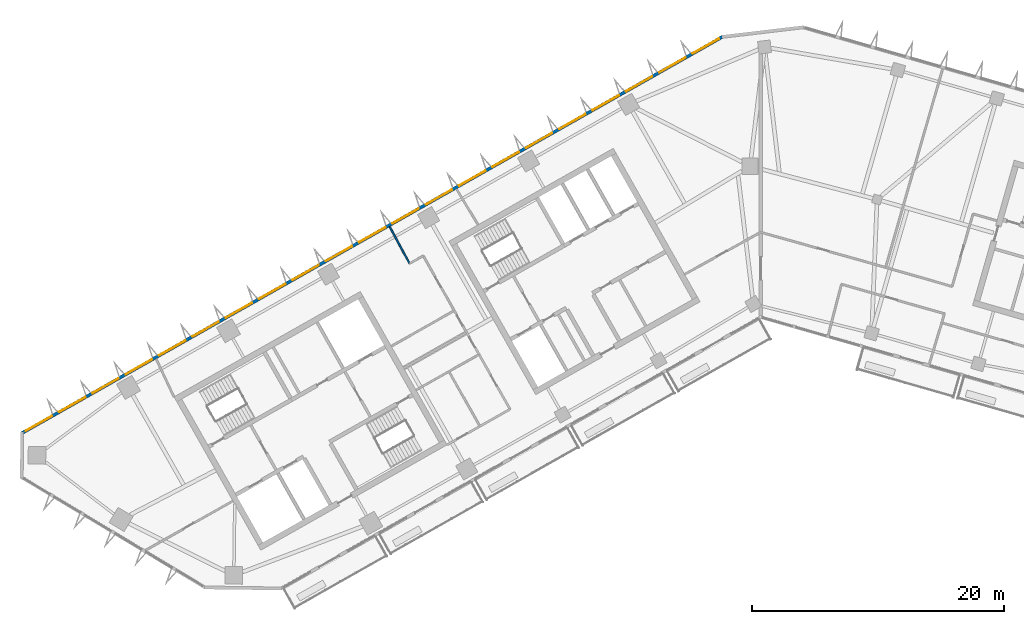
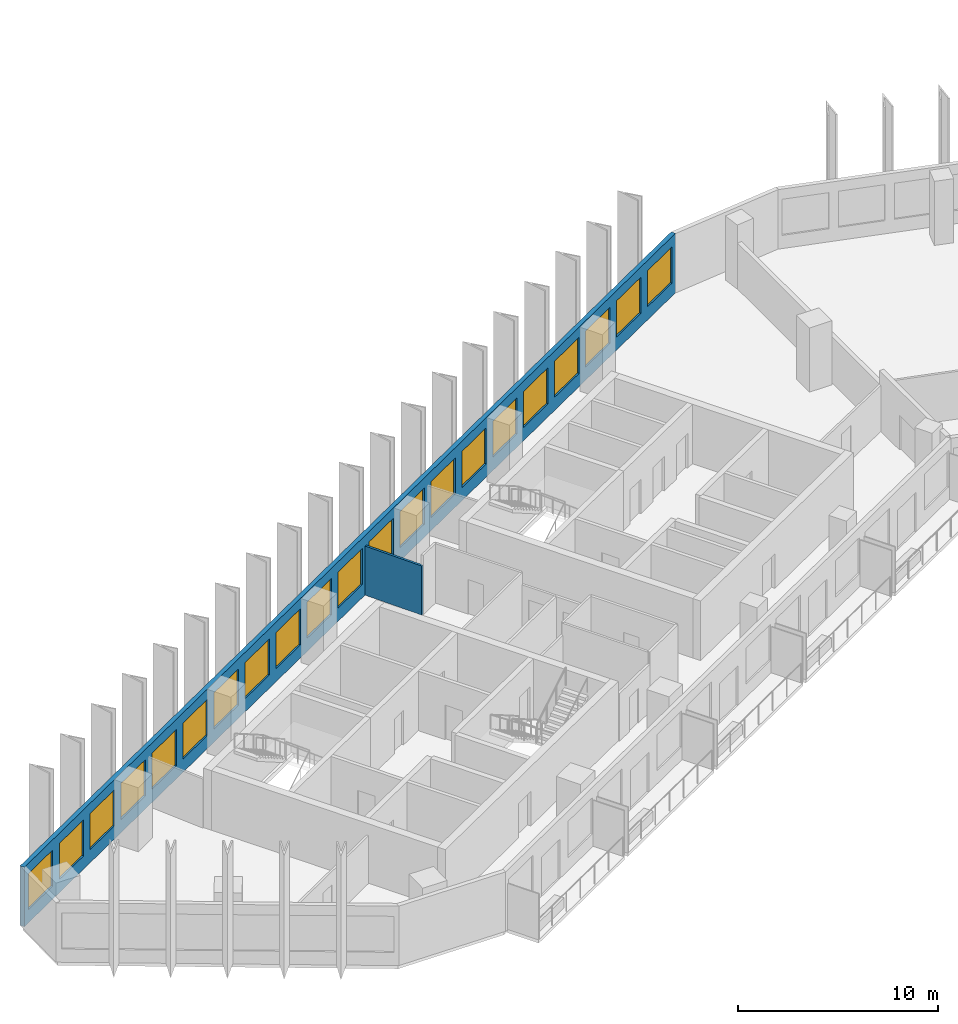
# One storey, part 4 of 12: 21 windows, 2 walls, 21 openings.
"""IFC4 building model written with IfcOpenShell, lengths in metres."""

from ifc_helpers import new_model, si_unit, direction, frame, frame_2d, origin, place, context, subcontext, project, spatial, rectangle, extrude, material, layer, layer_set, type_object, element, fill, save


model = new_model("IFC4")

# Units and contexts
model_context = context("Model", 3, precision=1e-05, world=origin(), true_north=direction((0.0, 1.0)))
body_context = subcontext(model_context, "Body", "Model", "MODEL_VIEW")
ifc_project = project(units=[si_unit("LENGTHUNIT", "METRE"), si_unit("AREAUNIT", "SQUARE_METRE"), si_unit("VOLUMEUNIT", "CUBIC_METRE"), si_unit("PLANEANGLEUNIT", "RADIAN"), si_unit("MASSUNIT", "GRAM", prefix="KILO")], contexts=[model_context])

# Site, building, storey
site_placement = place(None, origin())
site = spatial("IfcSite", under=ifc_project, at=site_placement, CompositionType="ELEMENT")
building_placement = place(site_placement, origin())
building = spatial("IfcBuilding", under=site, at=building_placement, Name="Binnacle Exchange Tower", CompositionType="ELEMENT")
storey_placement = place(building_placement, frame((0.0, 0.0, 215.300048828125)))
storey = spatial("IfcBuildingStorey", under=building, at=storey_placement, Name="L47", CompositionType="ELEMENT", Elevation=215.300048828125)

# Wall, openings, windows
ifc_material_1 = material(Name="Bronze aluminium cladding", Category="aluminium")
ifc_layer_1 = layer(ifc_material_1, 0.25)
ifc_layer_set_1 = layer_set([ifc_layer_1], Name="External wall - window wall 250")
wall_type_1 = type_object("IfcWallType", Name="External wall - window wall 250", PredefinedType="STANDARD", material=ifc_layer_set_1)
wall_1_placement = place(storey_placement, frame((-58.732177734375, 38.770751953125, 0.0), z_axis=(0.0, 0.0, 1.0), x_axis=(0.870354824205, 0.492425100887, 0.0)))
wall_1 = element("IfcWall", 1, at=wall_1_placement, inside=storey, type_object=wall_type_1, Name="External wall EW-G08 L47", PredefinedType="STANDARD", context=body_context, shape_type="SweptSolid", body=[
    extrude(rectangle(XDim=64.005859375, YDim=0.25, at=frame_2d((32.0029296875, 0.0))), origin(), (0.0, 0.0, 1.0), 3.619873046875),
])
opening_1_placement = place(wall_1_placement, frame((61.25927734375, 0.0, 0.800048828125)))
opening_1 = element("IfcOpeningElement", 2, at=opening_1_placement, cuts=wall_1, Name="Opening WR1", PredefinedType="OPENING", context=body_context, shape_type="SweptSolid", body=[
    extrude(rectangle(XDim=2.39990234375, YDim=2.199951171875, at=frame_2d((1.199951171875, 1.10009765625))), frame((0.0, 0.135009765625, 0.0), z_axis=(0.0, -1.0, 0.0), x_axis=(1.0, 0.0, 0.0)), (0.0, 0.0, 1.0), 0.27001953125),
])
opening_2_placement = place(wall_1_placement, frame((58.2158203125, 0.0, 0.800048828125)))
opening_2 = element("IfcOpeningElement", 3, at=opening_2_placement, cuts=wall_1, Name="Opening WR1", PredefinedType="OPENING", context=body_context, shape_type="SweptSolid", body=[
    extrude(rectangle(XDim=2.39990234375, YDim=2.199951171875, at=frame_2d((1.199951171875, 1.10009765625))), frame((0.0, 0.135009765625, 0.0), z_axis=(0.0, -1.0, 0.0), x_axis=(1.0, 0.0, 0.0)), (0.0, 0.0, 1.0), 0.27001953125),
])
opening_3_placement = place(wall_1_placement, frame((55.172607421875, 0.0, 0.800048828125)))
opening_3 = element("IfcOpeningElement", 4, at=opening_3_placement, cuts=wall_1, Name="Opening WR1", PredefinedType="OPENING", context=body_context, shape_type="SweptSolid", body=[
    extrude(rectangle(XDim=2.39990234375, YDim=2.199951171875, at=frame_2d((1.199951171875, 1.10009765625))), frame((0.0, 0.135009765625, 0.0), z_axis=(0.0, -1.0, 0.0), x_axis=(1.0, 0.0, 0.0)), (0.0, 0.0, 1.0), 0.27001953125),
])
opening_4_placement = place(wall_1_placement, frame((52.12939453125, 0.0, 0.800048828125)))
opening_4 = element("IfcOpeningElement", 5, at=opening_4_placement, cuts=wall_1, Name="Opening WR1", PredefinedType="OPENING", context=body_context, shape_type="SweptSolid", body=[
    extrude(rectangle(XDim=2.39990234375, YDim=2.199951171875, at=frame_2d((1.199951171875, 1.10009765625))), frame((0.0, 0.135009765625, 0.0), z_axis=(0.0, -1.0, 0.0), x_axis=(1.0, 0.0, 0.0)), (0.0, 0.0, 1.0), 0.27001953125),
])
opening_5_placement = place(wall_1_placement, frame((49.0859375, 0.0, 0.800048828125)))
opening_5 = element("IfcOpeningElement", 6, at=opening_5_placement, cuts=wall_1, Name="Opening WR1", PredefinedType="OPENING", context=body_context, shape_type="SweptSolid", body=[
    extrude(rectangle(XDim=2.39990234375, YDim=2.199951171875, at=frame_2d((1.199951171875, 1.10009765625))), frame((0.0, 0.135009765625, 0.0), z_axis=(0.0, -1.0, 0.0), x_axis=(1.0, 0.0, 0.0)), (0.0, 0.0, 1.0), 0.27001953125),
])
opening_6_placement = place(wall_1_placement, frame((46.042724609375, 0.0, 0.800048828125)))
opening_6 = element("IfcOpeningElement", 7, at=opening_6_placement, cuts=wall_1, Name="Opening WR1", PredefinedType="OPENING", context=body_context, shape_type="SweptSolid", body=[
    extrude(rectangle(XDim=2.39990234375, YDim=2.199951171875, at=frame_2d((1.199951171875, 1.10009765625))), frame((0.0, 0.135009765625, 0.0), z_axis=(0.0, -1.0, 0.0), x_axis=(1.0, 0.0, 0.0)), (0.0, 0.0, 1.0), 0.27001953125),
])
opening_7_placement = place(wall_1_placement, frame((42.99951171875, 0.0, 0.800048828125)))
opening_7 = element("IfcOpeningElement", 8, at=opening_7_placement, cuts=wall_1, Name="Opening WR1", PredefinedType="OPENING", context=body_context, shape_type="SweptSolid", body=[
    extrude(rectangle(XDim=2.39990234375, YDim=2.199951171875, at=frame_2d((1.199951171875, 1.10009765625))), frame((0.0, 0.135009765625, 0.0), z_axis=(0.0, -1.0, 0.0), x_axis=(1.0, 0.0, 0.0)), (0.0, 0.0, 1.0), 0.27001953125),
])
opening_8_placement = place(wall_1_placement, frame((39.956298828125, 0.0, 0.800048828125)))
opening_8 = element("IfcOpeningElement", 9, at=opening_8_placement, cuts=wall_1, Name="Opening WR1", PredefinedType="OPENING", context=body_context, shape_type="SweptSolid", body=[
    extrude(rectangle(XDim=2.39990234375, YDim=2.199951171875, at=frame_2d((1.199951171875, 1.10009765625))), frame((0.0, 0.135009765625, 0.0), z_axis=(0.0, -1.0, 0.0), x_axis=(1.0, 0.0, 0.0)), (0.0, 0.0, 1.0), 0.27001953125),
])
opening_9_placement = place(wall_1_placement, frame((36.912841796875, 0.0, 0.800048828125)))
opening_9 = element("IfcOpeningElement", 10, at=opening_9_placement, cuts=wall_1, Name="Opening WR1", PredefinedType="OPENING", context=body_context, shape_type="SweptSolid", body=[
    extrude(rectangle(XDim=2.39990234375, YDim=2.199951171875, at=frame_2d((1.199951171875, 1.10009765625))), frame((0.0, 0.135009765625, 0.0), z_axis=(0.0, -1.0, 0.0), x_axis=(1.0, 0.0, 0.0)), (0.0, 0.0, 1.0), 0.27001953125),
])
opening_10_placement = place(wall_1_placement, frame((33.86962890625, 0.0, 0.800048828125)))
opening_10 = element("IfcOpeningElement", 11, at=opening_10_placement, cuts=wall_1, Name="Opening WR1", PredefinedType="OPENING", context=body_context, shape_type="SweptSolid", body=[
    extrude(rectangle(XDim=2.39990234375, YDim=2.199951171875, at=frame_2d((1.199951171875, 1.10009765625))), frame((0.0, 0.135009765625, 0.0), z_axis=(0.0, -1.0, 0.0), x_axis=(1.0, 0.0, 0.0)), (0.0, 0.0, 1.0), 0.27001953125),
])
opening_11_placement = place(wall_1_placement, frame((30.826416015625, 0.0, 0.800048828125)))
opening_11 = element("IfcOpeningElement", 12, at=opening_11_placement, cuts=wall_1, Name="Opening WR1", PredefinedType="OPENING", context=body_context, shape_type="SweptSolid", body=[
    extrude(rectangle(XDim=2.39990234375, YDim=2.199951171875, at=frame_2d((1.199951171875, 1.10009765625))), frame((0.0, 0.135009765625, 0.0), z_axis=(0.0, -1.0, 0.0), x_axis=(1.0, 0.0, 0.0)), (0.0, 0.0, 1.0), 0.27001953125),
])
opening_12_placement = place(wall_1_placement, frame((27.782958984375, 0.0, 0.800048828125)))
opening_12 = element("IfcOpeningElement", 13, at=opening_12_placement, cuts=wall_1, Name="Opening WR1", PredefinedType="OPENING", context=body_context, shape_type="SweptSolid", body=[
    extrude(rectangle(XDim=2.39990234375, YDim=2.199951171875, at=frame_2d((1.199951171875, 1.10009765625))), frame((0.0, 0.135009765625, 0.0), z_axis=(0.0, -1.0, 0.0), x_axis=(1.0, 0.0, 0.0)), (0.0, 0.0, 1.0), 0.27001953125),
])
opening_13_placement = place(wall_1_placement, frame((24.73974609375, 0.0, 0.800048828125)))
opening_13 = element("IfcOpeningElement", 14, at=opening_13_placement, cuts=wall_1, Name="Opening WR1", PredefinedType="OPENING", context=body_context, shape_type="SweptSolid", body=[
    extrude(rectangle(XDim=2.39990234375, YDim=2.199951171875, at=frame_2d((1.199951171875, 1.10009765625))), frame((0.0, 0.135009765625, 0.0), z_axis=(0.0, -1.0, 0.0), x_axis=(1.0, 0.0, 0.0)), (0.0, 0.0, 1.0), 0.27001953125),
])
opening_14_placement = place(wall_1_placement, frame((21.6962890625, 0.0, 0.800048828125)))
opening_14 = element("IfcOpeningElement", 15, at=opening_14_placement, cuts=wall_1, Name="Opening WR1", PredefinedType="OPENING", context=body_context, shape_type="SweptSolid", body=[
    extrude(rectangle(XDim=2.39990234375, YDim=2.199951171875, at=frame_2d((1.199951171875, 1.10009765625))), frame((0.0, 0.135009765625, 0.0), z_axis=(0.0, -1.0, 0.0), x_axis=(1.0, 0.0, 0.0)), (0.0, 0.0, 1.0), 0.27001953125),
])
opening_15_placement = place(wall_1_placement, frame((18.6533203125, 0.0, 0.800048828125)))
opening_15 = element("IfcOpeningElement", 16, at=opening_15_placement, cuts=wall_1, Name="Opening WR1", PredefinedType="OPENING", context=body_context, shape_type="SweptSolid", body=[
    extrude(rectangle(XDim=2.39990234375, YDim=2.199951171875, at=frame_2d((1.199951171875, 1.10009765625))), frame((0.0, 0.135009765625, 0.0), z_axis=(0.0, -1.0, 0.0), x_axis=(1.0, 0.0, 0.0)), (0.0, 0.0, 1.0), 0.27001953125),
])
opening_16_placement = place(wall_1_placement, frame((15.60986328125, 0.0, 0.800048828125)))
opening_16 = element("IfcOpeningElement", 17, at=opening_16_placement, cuts=wall_1, Name="Opening WR1", PredefinedType="OPENING", context=body_context, shape_type="SweptSolid", body=[
    extrude(rectangle(XDim=2.39990234375, YDim=2.199951171875, at=frame_2d((1.199951171875, 1.10009765625))), frame((0.0, 0.135009765625, 0.0), z_axis=(0.0, -1.0, 0.0), x_axis=(1.0, 0.0, 0.0)), (0.0, 0.0, 1.0), 0.27001953125),
])
opening_17_placement = place(wall_1_placement, frame((12.566650390625, 0.0, 0.800048828125)))
opening_17 = element("IfcOpeningElement", 18, at=opening_17_placement, cuts=wall_1, Name="Opening WR1", PredefinedType="OPENING", context=body_context, shape_type="SweptSolid", body=[
    extrude(rectangle(XDim=2.39990234375, YDim=2.199951171875, at=frame_2d((1.199951171875, 1.10009765625))), frame((0.0, 0.135009765625, 0.0), z_axis=(0.0, -1.0, 0.0), x_axis=(1.0, 0.0, 0.0)), (0.0, 0.0, 1.0), 0.27001953125),
])
opening_18_placement = place(wall_1_placement, frame((9.523193359375, 0.0, 0.800048828125)))
opening_18 = element("IfcOpeningElement", 19, at=opening_18_placement, cuts=wall_1, Name="Opening WR1", PredefinedType="OPENING", context=body_context, shape_type="SweptSolid", body=[
    extrude(rectangle(XDim=2.39990234375, YDim=2.199951171875, at=frame_2d((1.199951171875, 1.10009765625))), frame((0.0, 0.135009765625, 0.0), z_axis=(0.0, -1.0, 0.0), x_axis=(1.0, 0.0, 0.0)), (0.0, 0.0, 1.0), 0.27001953125),
])
opening_19_placement = place(wall_1_placement, frame((6.47998046875, 0.0, 0.800048828125)))
opening_19 = element("IfcOpeningElement", 20, at=opening_19_placement, cuts=wall_1, Name="Opening WR1", PredefinedType="OPENING", context=body_context, shape_type="SweptSolid", body=[
    extrude(rectangle(XDim=2.39990234375, YDim=2.199951171875, at=frame_2d((1.199951171875, 1.10009765625))), frame((0.0, 0.135009765625, 0.0), z_axis=(0.0, -1.0, 0.0), x_axis=(1.0, 0.0, 0.0)), (0.0, 0.0, 1.0), 0.27001953125),
])
opening_20_placement = place(wall_1_placement, frame((3.436767578125, 0.0, 0.800048828125)))
opening_20 = element("IfcOpeningElement", 21, at=opening_20_placement, cuts=wall_1, Name="Opening WR1", PredefinedType="OPENING", context=body_context, shape_type="SweptSolid", body=[
    extrude(rectangle(XDim=2.39990234375, YDim=2.199951171875, at=frame_2d((1.199951171875, 1.10009765625))), frame((0.0, 0.135009765625, 0.0), z_axis=(0.0, -1.0, 0.0), x_axis=(1.0, 0.0, 0.0)), (0.0, 0.0, 1.0), 0.27001953125),
])
opening_21_placement = place(wall_1_placement, frame((0.393310546875, 0.0, 0.800048828125)))
opening_21 = element("IfcOpeningElement", 22, at=opening_21_placement, cuts=wall_1, Name="Opening WR1", PredefinedType="OPENING", context=body_context, shape_type="SweptSolid", body=[
    extrude(rectangle(XDim=2.39990234375, YDim=2.199951171875, at=frame_2d((1.199951171875, 1.10009765625))), frame((0.0, 0.135009765625, 0.0), z_axis=(0.0, -1.0, 0.0), x_axis=(1.0, 0.0, 0.0)), (0.0, 0.0, 1.0), 0.27001953125),
])
ifc_material_2 = material(Name="Bronze anodised aluminium frame", Category="aluminium")
window_type = type_object("IfcWindowType", Name="WR1 WINDOW 2400x2200", PartitioningType="SINGLE_PANEL", PredefinedType="WINDOW", material=ifc_material_2)
window_1_placement = place(opening_1_placement, origin())
window_1 = element("IfcWindow", 23, at=window_1_placement, inside=storey, type_object=window_type, Name="Window WR1 L47", OverallHeight=2.199951171875, OverallWidth=2.39990234375, PartitioningType="SINGLE_PANEL", PredefinedType="WINDOW", context=body_context, shape_type="SweptSolid", body=[
    extrude(rectangle(XDim=2.39990234375, YDim=2.199951171875, at=frame_2d((1.199951171875, 1.10009765625))), frame((0.0, 0.030029296875, 0.0), z_axis=(0.0, -1.0, 0.0), x_axis=(1.0, 0.0, 0.0)), (0.0, 0.0, 1.0), 0.06005859375),
])
fill(opening_1, window_1)
window_2_placement = place(opening_2_placement, origin())
window_2 = element("IfcWindow", 24, at=window_2_placement, inside=storey, type_object=window_type, Name="Window WR1 L47", OverallHeight=2.199951171875, OverallWidth=2.39990234375, PartitioningType="SINGLE_PANEL", PredefinedType="WINDOW", context=body_context, shape_type="SweptSolid", body=[
    extrude(rectangle(XDim=2.39990234375, YDim=2.199951171875, at=frame_2d((1.199951171875, 1.10009765625))), frame((0.0, 0.030029296875, 0.0), z_axis=(0.0, -1.0, 0.0), x_axis=(1.0, 0.0, 0.0)), (0.0, 0.0, 1.0), 0.06005859375),
])
fill(opening_2, window_2)
window_3_placement = place(opening_3_placement, origin())
window_3 = element("IfcWindow", 25, at=window_3_placement, inside=storey, type_object=window_type, Name="Window WR1 L47", OverallHeight=2.199951171875, OverallWidth=2.39990234375, PartitioningType="SINGLE_PANEL", PredefinedType="WINDOW", context=body_context, shape_type="SweptSolid", body=[
    extrude(rectangle(XDim=2.39990234375, YDim=2.199951171875, at=frame_2d((1.199951171875, 1.10009765625))), frame((0.0, 0.030029296875, 0.0), z_axis=(0.0, -1.0, 0.0), x_axis=(1.0, 0.0, 0.0)), (0.0, 0.0, 1.0), 0.06005859375),
])
fill(opening_3, window_3)
window_4_placement = place(opening_4_placement, origin())
window_4 = element("IfcWindow", 26, at=window_4_placement, inside=storey, type_object=window_type, Name="Window WR1 L47", OverallHeight=2.199951171875, OverallWidth=2.39990234375, PartitioningType="SINGLE_PANEL", PredefinedType="WINDOW", context=body_context, shape_type="SweptSolid", body=[
    extrude(rectangle(XDim=2.39990234375, YDim=2.199951171875, at=frame_2d((1.199951171875, 1.10009765625))), frame((0.0, 0.030029296875, 0.0), z_axis=(0.0, -1.0, 0.0), x_axis=(1.0, 0.0, 0.0)), (0.0, 0.0, 1.0), 0.06005859375),
])
fill(opening_4, window_4)
window_5_placement = place(opening_5_placement, origin())
window_5 = element("IfcWindow", 27, at=window_5_placement, inside=storey, type_object=window_type, Name="Window WR1 L47", OverallHeight=2.199951171875, OverallWidth=2.39990234375, PartitioningType="SINGLE_PANEL", PredefinedType="WINDOW", context=body_context, shape_type="SweptSolid", body=[
    extrude(rectangle(XDim=2.39990234375, YDim=2.199951171875, at=frame_2d((1.199951171875, 1.10009765625))), frame((0.0, 0.030029296875, 0.0), z_axis=(0.0, -1.0, 0.0), x_axis=(1.0, 0.0, 0.0)), (0.0, 0.0, 1.0), 0.06005859375),
])
fill(opening_5, window_5)
window_6_placement = place(opening_6_placement, origin())
window_6 = element("IfcWindow", 28, at=window_6_placement, inside=storey, type_object=window_type, Name="Window WR1 L47", OverallHeight=2.199951171875, OverallWidth=2.39990234375, PartitioningType="SINGLE_PANEL", PredefinedType="WINDOW", context=body_context, shape_type="SweptSolid", body=[
    extrude(rectangle(XDim=2.39990234375, YDim=2.199951171875, at=frame_2d((1.199951171875, 1.10009765625))), frame((0.0, 0.030029296875, 0.0), z_axis=(0.0, -1.0, 0.0), x_axis=(1.0, 0.0, 0.0)), (0.0, 0.0, 1.0), 0.06005859375),
])
fill(opening_6, window_6)
window_7_placement = place(opening_7_placement, origin())
window_7 = element("IfcWindow", 29, at=window_7_placement, inside=storey, type_object=window_type, Name="Window WR1 L47", OverallHeight=2.199951171875, OverallWidth=2.39990234375, PartitioningType="SINGLE_PANEL", PredefinedType="WINDOW", context=body_context, shape_type="SweptSolid", body=[
    extrude(rectangle(XDim=2.39990234375, YDim=2.199951171875, at=frame_2d((1.199951171875, 1.10009765625))), frame((0.0, 0.030029296875, 0.0), z_axis=(0.0, -1.0, 0.0), x_axis=(1.0, 0.0, 0.0)), (0.0, 0.0, 1.0), 0.06005859375),
])
fill(opening_7, window_7)
window_8_placement = place(opening_8_placement, origin())
window_8 = element("IfcWindow", 30, at=window_8_placement, inside=storey, type_object=window_type, Name="Window WR1 L47", OverallHeight=2.199951171875, OverallWidth=2.39990234375, PartitioningType="SINGLE_PANEL", PredefinedType="WINDOW", context=body_context, shape_type="SweptSolid", body=[
    extrude(rectangle(XDim=2.39990234375, YDim=2.199951171875, at=frame_2d((1.199951171875, 1.10009765625))), frame((0.0, 0.030029296875, 0.0), z_axis=(0.0, -1.0, 0.0), x_axis=(1.0, 0.0, 0.0)), (0.0, 0.0, 1.0), 0.06005859375),
])
fill(opening_8, window_8)
window_9_placement = place(opening_9_placement, origin())
window_9 = element("IfcWindow", 31, at=window_9_placement, inside=storey, type_object=window_type, Name="Window WR1 L47", OverallHeight=2.199951171875, OverallWidth=2.39990234375, PartitioningType="SINGLE_PANEL", PredefinedType="WINDOW", context=body_context, shape_type="SweptSolid", body=[
    extrude(rectangle(XDim=2.39990234375, YDim=2.199951171875, at=frame_2d((1.199951171875, 1.10009765625))), frame((0.0, 0.030029296875, 0.0), z_axis=(0.0, -1.0, 0.0), x_axis=(1.0, 0.0, 0.0)), (0.0, 0.0, 1.0), 0.06005859375),
])
fill(opening_9, window_9)
window_10_placement = place(opening_10_placement, origin())
window_10 = element("IfcWindow", 32, at=window_10_placement, inside=storey, type_object=window_type, Name="Window WR1 L47", OverallHeight=2.199951171875, OverallWidth=2.39990234375, PartitioningType="SINGLE_PANEL", PredefinedType="WINDOW", context=body_context, shape_type="SweptSolid", body=[
    extrude(rectangle(XDim=2.39990234375, YDim=2.199951171875, at=frame_2d((1.199951171875, 1.10009765625))), frame((0.0, 0.030029296875, 0.0), z_axis=(0.0, -1.0, 0.0), x_axis=(1.0, 0.0, 0.0)), (0.0, 0.0, 1.0), 0.06005859375),
])
fill(opening_10, window_10)
window_11_placement = place(opening_11_placement, origin())
window_11 = element("IfcWindow", 33, at=window_11_placement, inside=storey, type_object=window_type, Name="Window WR1 L47", OverallHeight=2.199951171875, OverallWidth=2.39990234375, PartitioningType="SINGLE_PANEL", PredefinedType="WINDOW", context=body_context, shape_type="SweptSolid", body=[
    extrude(rectangle(XDim=2.39990234375, YDim=2.199951171875, at=frame_2d((1.199951171875, 1.10009765625))), frame((0.0, 0.030029296875, 0.0), z_axis=(0.0, -1.0, 0.0), x_axis=(1.0, 0.0, 0.0)), (0.0, 0.0, 1.0), 0.06005859375),
])
fill(opening_11, window_11)
window_12_placement = place(opening_12_placement, origin())
window_12 = element("IfcWindow", 34, at=window_12_placement, inside=storey, type_object=window_type, Name="Window WR1 L47", OverallHeight=2.199951171875, OverallWidth=2.39990234375, PartitioningType="SINGLE_PANEL", PredefinedType="WINDOW", context=body_context, shape_type="SweptSolid", body=[
    extrude(rectangle(XDim=2.39990234375, YDim=2.199951171875, at=frame_2d((1.199951171875, 1.10009765625))), frame((0.0, 0.030029296875, 0.0), z_axis=(0.0, -1.0, 0.0), x_axis=(1.0, 0.0, 0.0)), (0.0, 0.0, 1.0), 0.06005859375),
])
fill(opening_12, window_12)
window_13_placement = place(opening_13_placement, origin())
window_13 = element("IfcWindow", 35, at=window_13_placement, inside=storey, type_object=window_type, Name="Window WR1 L47", OverallHeight=2.199951171875, OverallWidth=2.39990234375, PartitioningType="SINGLE_PANEL", PredefinedType="WINDOW", context=body_context, shape_type="SweptSolid", body=[
    extrude(rectangle(XDim=2.39990234375, YDim=2.199951171875, at=frame_2d((1.199951171875, 1.10009765625))), frame((0.0, 0.030029296875, 0.0), z_axis=(0.0, -1.0, 0.0), x_axis=(1.0, 0.0, 0.0)), (0.0, 0.0, 1.0), 0.06005859375),
])
fill(opening_13, window_13)
window_14_placement = place(opening_14_placement, origin())
window_14 = element("IfcWindow", 36, at=window_14_placement, inside=storey, type_object=window_type, Name="Window WR1 L47", OverallHeight=2.199951171875, OverallWidth=2.39990234375, PartitioningType="SINGLE_PANEL", PredefinedType="WINDOW", context=body_context, shape_type="SweptSolid", body=[
    extrude(rectangle(XDim=2.39990234375, YDim=2.199951171875, at=frame_2d((1.199951171875, 1.10009765625))), frame((0.0, 0.030029296875, 0.0), z_axis=(0.0, -1.0, 0.0), x_axis=(1.0, 0.0, 0.0)), (0.0, 0.0, 1.0), 0.06005859375),
])
fill(opening_14, window_14)
window_15_placement = place(opening_15_placement, origin())
window_15 = element("IfcWindow", 37, at=window_15_placement, inside=storey, type_object=window_type, Name="Window WR1 L47", OverallHeight=2.199951171875, OverallWidth=2.39990234375, PartitioningType="SINGLE_PANEL", PredefinedType="WINDOW", context=body_context, shape_type="SweptSolid", body=[
    extrude(rectangle(XDim=2.39990234375, YDim=2.199951171875, at=frame_2d((1.199951171875, 1.10009765625))), frame((0.0, 0.030029296875, 0.0), z_axis=(0.0, -1.0, 0.0), x_axis=(1.0, 0.0, 0.0)), (0.0, 0.0, 1.0), 0.06005859375),
])
fill(opening_15, window_15)
window_16_placement = place(opening_16_placement, origin())
window_16 = element("IfcWindow", 38, at=window_16_placement, inside=storey, type_object=window_type, Name="Window WR1 L47", OverallHeight=2.199951171875, OverallWidth=2.39990234375, PartitioningType="SINGLE_PANEL", PredefinedType="WINDOW", context=body_context, shape_type="SweptSolid", body=[
    extrude(rectangle(XDim=2.39990234375, YDim=2.199951171875, at=frame_2d((1.199951171875, 1.10009765625))), frame((0.0, 0.030029296875, 0.0), z_axis=(0.0, -1.0, 0.0), x_axis=(1.0, 0.0, 0.0)), (0.0, 0.0, 1.0), 0.06005859375),
])
fill(opening_16, window_16)
window_17_placement = place(opening_17_placement, origin())
window_17 = element("IfcWindow", 39, at=window_17_placement, inside=storey, type_object=window_type, Name="Window WR1 L47", OverallHeight=2.199951171875, OverallWidth=2.39990234375, PartitioningType="SINGLE_PANEL", PredefinedType="WINDOW", context=body_context, shape_type="SweptSolid", body=[
    extrude(rectangle(XDim=2.39990234375, YDim=2.199951171875, at=frame_2d((1.199951171875, 1.10009765625))), frame((0.0, 0.030029296875, 0.0), z_axis=(0.0, -1.0, 0.0), x_axis=(1.0, 0.0, 0.0)), (0.0, 0.0, 1.0), 0.06005859375),
])
fill(opening_17, window_17)
window_18_placement = place(opening_18_placement, origin())
window_18 = element("IfcWindow", 40, at=window_18_placement, inside=storey, type_object=window_type, Name="Window WR1 L47", OverallHeight=2.199951171875, OverallWidth=2.39990234375, PartitioningType="SINGLE_PANEL", PredefinedType="WINDOW", context=body_context, shape_type="SweptSolid", body=[
    extrude(rectangle(XDim=2.39990234375, YDim=2.199951171875, at=frame_2d((1.199951171875, 1.10009765625))), frame((0.0, 0.030029296875, 0.0), z_axis=(0.0, -1.0, 0.0), x_axis=(1.0, 0.0, 0.0)), (0.0, 0.0, 1.0), 0.06005859375),
])
fill(opening_18, window_18)
window_19_placement = place(opening_19_placement, origin())
window_19 = element("IfcWindow", 41, at=window_19_placement, inside=storey, type_object=window_type, Name="Window WR1 L47", OverallHeight=2.199951171875, OverallWidth=2.39990234375, PartitioningType="SINGLE_PANEL", PredefinedType="WINDOW", context=body_context, shape_type="SweptSolid", body=[
    extrude(rectangle(XDim=2.39990234375, YDim=2.199951171875, at=frame_2d((1.199951171875, 1.10009765625))), frame((0.0, 0.030029296875, 0.0), z_axis=(0.0, -1.0, 0.0), x_axis=(1.0, 0.0, 0.0)), (0.0, 0.0, 1.0), 0.06005859375),
])
fill(opening_19, window_19)
window_20_placement = place(opening_20_placement, origin())
window_20 = element("IfcWindow", 42, at=window_20_placement, inside=storey, type_object=window_type, Name="Window WR1 L47", OverallHeight=2.199951171875, OverallWidth=2.39990234375, PartitioningType="SINGLE_PANEL", PredefinedType="WINDOW", context=body_context, shape_type="SweptSolid", body=[
    extrude(rectangle(XDim=2.39990234375, YDim=2.199951171875, at=frame_2d((1.199951171875, 1.10009765625))), frame((0.0, 0.030029296875, 0.0), z_axis=(0.0, -1.0, 0.0), x_axis=(1.0, 0.0, 0.0)), (0.0, 0.0, 1.0), 0.06005859375),
])
fill(opening_20, window_20)
window_21_placement = place(opening_21_placement, origin())
window_21 = element("IfcWindow", 43, at=window_21_placement, inside=storey, type_object=window_type, Name="Window WR1 L47", OverallHeight=2.199951171875, OverallWidth=2.39990234375, PartitioningType="SINGLE_PANEL", PredefinedType="WINDOW", context=body_context, shape_type="SweptSolid", body=[
    extrude(rectangle(XDim=2.39990234375, YDim=2.199951171875, at=frame_2d((1.199951171875, 1.10009765625))), frame((0.0, 0.030029296875, 0.0), z_axis=(0.0, -1.0, 0.0), x_axis=(1.0, 0.0, 0.0)), (0.0, 0.0, 1.0), 0.06005859375),
])
fill(opening_21, window_21)

# Wall
ifc_material_3 = material(Name="Gypsum partition")
ifc_layer_2 = layer(ifc_material_3, 0.125)
ifc_layer_set_2 = layer_set([ifc_layer_2], Name="Partition 125")
wall_type_2 = type_object("IfcWallType", Name="Partition 125", PredefinedType="PARTITIONING", material=ifc_layer_set_2)
wall_2_placement = place(storey_placement, frame((-29.47412109375, 55.180908203125, 0.0), z_axis=(0.0, 0.0, 1.0), x_axis=(0.475344759365, -0.879799613403, 0.0)))
element("IfcWall", 44, at=wall_2_placement, inside=storey, type_object=wall_type_2, Name="Partition W03", PredefinedType="PARTITIONING", context=body_context, shape_type="SweptSolid", body=[
    extrude(rectangle(XDim=3.320068359375, YDim=0.125, at=frame_2d((1.66015625, 0.0))), origin(), (0.0, 0.0, 1.0), 2.988037109375),
])

save(model, "model.ifc")
